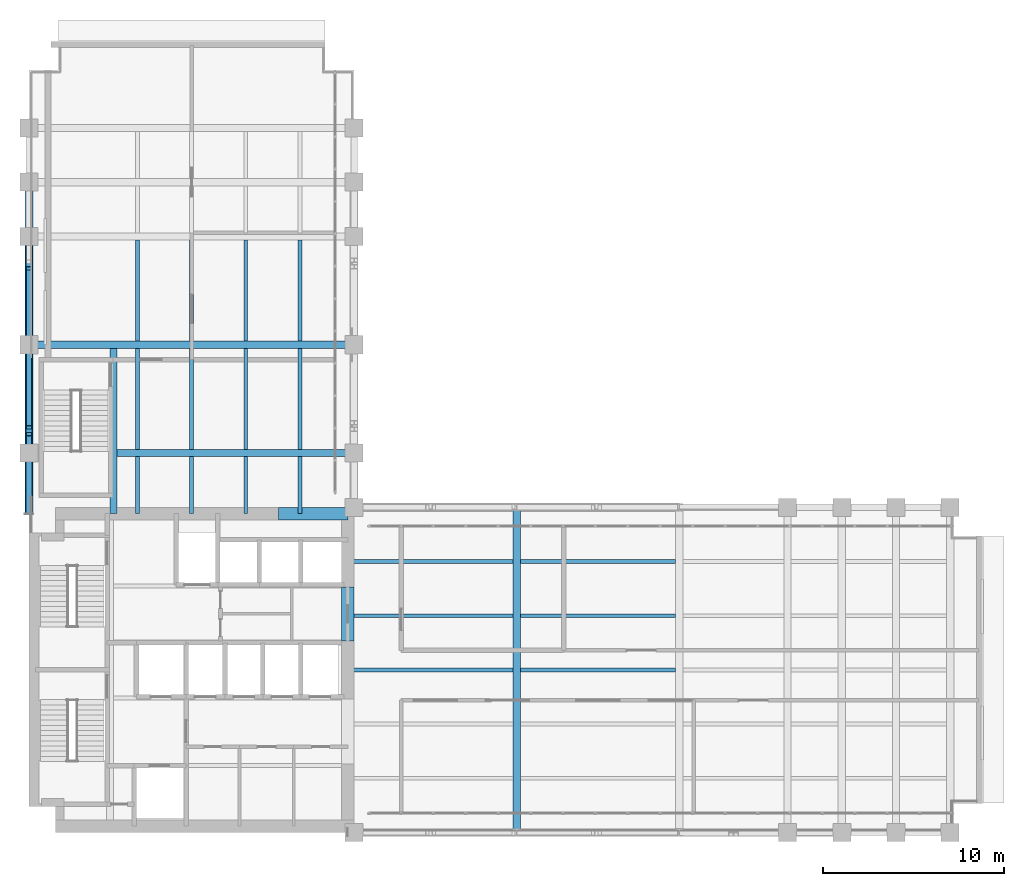
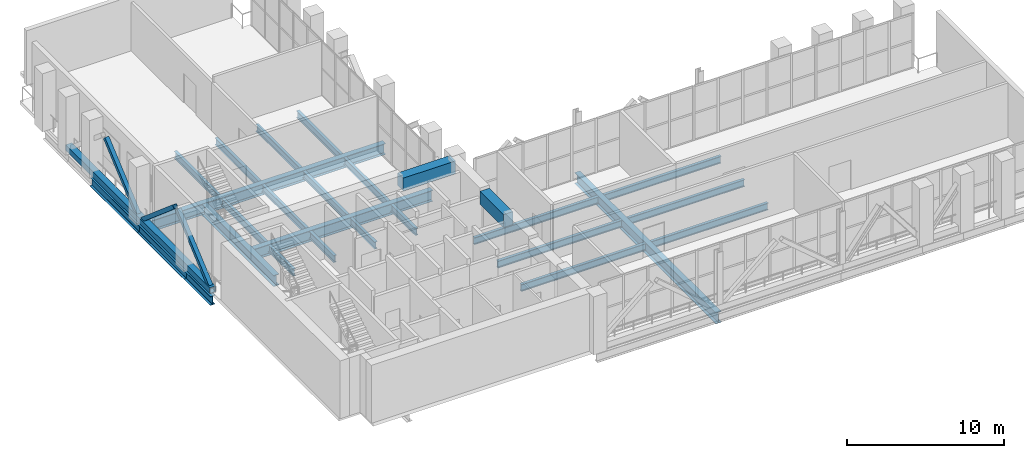
# One storey, part 5 of 27: 27 beams, 4 members.
"""IFC4 building model written with IfcOpenShell, lengths in metres."""

from ifc_helpers import new_model, si_unit, direction, frame, origin, origin_2d, place, context, subcontext, project, spatial, rectangle, hollow_rectangle, i_section, extrude, material, material_profile, profile_set, type_object, element, save


model = new_model("IFC4")

# Units and contexts
model_context = context("Model", 3, precision=1e-05, world=origin(), true_north=direction((0.0, 1.0)))
body_context = subcontext(model_context, "Body", "Model", "MODEL_VIEW")
ifc_project = project(units=[si_unit("LENGTHUNIT", "METRE"), si_unit("AREAUNIT", "SQUARE_METRE"), si_unit("VOLUMEUNIT", "CUBIC_METRE"), si_unit("PLANEANGLEUNIT", "RADIAN"), si_unit("MASSUNIT", "GRAM", prefix="KILO")], contexts=[model_context])

# Site, building, storey
site_placement = place(None, origin())
site = spatial("IfcSite", under=ifc_project, at=site_placement, CompositionType="ELEMENT")
building_placement = place(site_placement, origin())
building = spatial("IfcBuilding", under=site, at=building_placement, Name="Mawjdan Bourse Tower", CompositionType="ELEMENT")
storey_placement = place(building_placement, frame((0.0, 0.0, 155.699951171875)))
storey = spatial("IfcBuildingStorey", under=building, at=storey_placement, Name="L37", CompositionType="ELEMENT", Elevation=155.699951171875)

# Members
ifc_material_1 = material(Name="Structural Steel S460", Category="steel")
ifc_material_profile_1 = material_profile(ifc_material_1, hollow_rectangle(XDim=0.300048828125, YDim=0.300048828125, WallThickness=0.012451171875, at=origin_2d()), Name="HSS300X300X12.5")
ifc_profile_set_1 = profile_set([ifc_material_profile_1], Name="Structural Steel S460")
member_type_1 = type_object("IfcMemberType", Name="BRC-HSS300X300X12.5", PredefinedType="BRACE", material=ifc_profile_set_1)
member_1_placement = place(storey_placement, frame((6.0, 20.83349609375, 0.199951171875), z_axis=(0.0, 0.760807747852, 0.648977326883), x_axis=(-1.0, 0.0, 0.0)))
element("IfcMember", 1, at=member_1_placement, inside=storey, type_object=member_type_1, Name="L37 North Outrigger Truss 1 Diagonal 1", PredefinedType="BRACE", context=body_context, shape_type="SweptSolid", body=[
    extrude(hollow_rectangle(XDim=0.300048828125, YDim=0.300048828125, WallThickness=0.012451171875, at=origin_2d()), origin(), (0.0, 0.0, 1.0), 5.54736328125),
])
member_2_placement = place(storey_placement, frame((6.0, 25.4208984375, 3.800048828125), z_axis=(0.0, 0.76082628285, -0.648955597345), x_axis=(-1.0, 0.0, 0.0)))
element("IfcMember", 2, at=member_2_placement, inside=storey, type_object=member_type_1, Name="L37 North Outrigger Truss 1 Diagonal 2", PredefinedType="BRACE", context=body_context, shape_type="SweptSolid", body=[
    extrude(hollow_rectangle(XDim=0.300048828125, YDim=0.300048828125, WallThickness=0.012451171875, at=origin_2d()), origin(), (0.0, 0.0, 1.0), 5.547607421875),
])
member_3_placement = place(storey_placement, frame((6.0, 30.008544921875, 0.199951171875), z_axis=(0.0, 0.760807747852, 0.648977326883), x_axis=(-1.0, 0.0, 0.0)))
element("IfcMember", 3, at=member_3_placement, inside=storey, type_object=member_type_1, Name="L37 North Outrigger Truss 1 Diagonal 3", PredefinedType="BRACE", context=body_context, shape_type="SweptSolid", body=[
    extrude(hollow_rectangle(XDim=0.300048828125, YDim=0.300048828125, WallThickness=0.012451171875, at=origin_2d()), origin(), (0.0, 0.0, 1.0), 5.54736328125),
])
ifc_material_profile_2 = material_profile(ifc_material_1, hollow_rectangle(XDim=0.449951171875, YDim=0.449951171875, WallThickness=0.01611328125, at=origin_2d()), Name="HSS450X450X16")
ifc_profile_set_2 = profile_set([ifc_material_profile_2], Name="Structural Steel S460")
member_type_2 = type_object("IfcMemberType", Name="CHD-HSS450X450X16", PredefinedType="CHORD", material=ifc_profile_set_2)
member_4_placement = place(storey_placement, frame((6.0, 20.64990234375, 0.199951171875), z_axis=(0.0, 1.0, 0.0), x_axis=(-1.0, 0.0, 0.0)))
element("IfcMember", 4, at=member_4_placement, inside=storey, type_object=member_type_2, Name="L37 North Outrigger Truss 1 Bottom Chord", PredefinedType="CHORD", context=body_context, shape_type="SweptSolid", body=[
    extrude(hollow_rectangle(XDim=0.449951171875, YDim=0.449951171875, WallThickness=0.01611328125, at=origin_2d()), origin(), (0.0, 0.0, 1.0), 18.35009765625),
])

# Beams
ifc_material_2 = material(Name="Structural Steel S355", Category="steel")
ifc_material_profile_3 = material_profile(ifc_material_2, i_section(OverallWidth=0.39892578125, OverallDepth=0.85595703125, WebThickness=0.018310546875, FlangeThickness=0.029296875, FilletRadius=0.0234375, at=origin_2d()), Name="W33X201")
ifc_profile_set_3 = profile_set([ifc_material_profile_3], Name="Structural Steel S355")
beam_type_1 = type_object("IfcBeamType", Name="GRD-W33X201", PredefinedType="BEAM", material=ifc_profile_set_3)
beam_1_placement = place(storey_placement, frame((33.0, 3.0, -0.7080078125), z_axis=(0.0, 1.0, 0.0), x_axis=(-1.0, 0.0, 0.0)))
element("IfcBeam", 5, at=beam_1_placement, inside=storey, type_object=beam_type_1, Name="L37 East Wing Clear-Span Girder 002", PredefinedType="BEAM", context=body_context, shape_type="SweptSolid", body=[
    extrude(i_section(OverallWidth=0.39892578125, OverallDepth=0.85595703125, WebThickness=0.018310546875, FlangeThickness=0.029296875, FilletRadius=0.0234375, at=origin_2d()), origin(), (0.0, 0.0, 1.0), 18.0),
])
beam_2_placement = place(storey_placement, frame((10.679931640625, 20.64990234375, -0.7080078125), z_axis=(0.0, 1.0, 0.0), x_axis=(-1.0, 0.0, 0.0)))
element("IfcBeam", 6, at=beam_2_placement, inside=storey, type_object=beam_type_1, Name="L37 North Wing Stair Trimmer Girder 054", PredefinedType="BEAM", context=body_context, shape_type="SweptSolid", body=[
    extrude(i_section(OverallWidth=0.39892578125, OverallDepth=0.85595703125, WebThickness=0.018310546875, FlangeThickness=0.029296875, FilletRadius=0.0234375, at=origin_2d()), origin(), (0.0, 0.0, 1.0), 9.152587890625),
])
beam_3_placement = place(storey_placement, frame((10.87744140625, 24.0, -0.7080078125), z_axis=(1.0, 0.0, 0.0), x_axis=(0.0, 1.0, 0.0)))
element("IfcBeam", 7, at=beam_3_placement, inside=storey, type_object=beam_type_1, Name="L37 North Wing Clear-Span Girder 055", PredefinedType="BEAM", context=body_context, shape_type="SweptSolid", body=[
    extrude(i_section(OverallWidth=0.39892578125, OverallDepth=0.85595703125, WebThickness=0.018310546875, FlangeThickness=0.029296875, FilletRadius=0.0234375, at=origin_2d()), origin(), (0.0, 0.0, 1.0), 13.12255859375),
])
beam_4_placement = place(storey_placement, frame((6.0, 30.0, -0.7080078125), z_axis=(1.0, 0.0, 0.0), x_axis=(0.0, 1.0, 0.0)))
element("IfcBeam", 8, at=beam_4_placement, inside=storey, type_object=beam_type_1, Name="L37 North Wing Clear-Span Girder 056", PredefinedType="BEAM", context=body_context, shape_type="SweptSolid", body=[
    extrude(i_section(OverallWidth=0.39892578125, OverallDepth=0.85595703125, WebThickness=0.018310546875, FlangeThickness=0.029296875, FilletRadius=0.0234375, at=origin_2d()), origin(), (0.0, 0.0, 1.0), 18.0),
])
ifc_material_profile_4 = material_profile(ifc_material_2, i_section(OverallWidth=0.2119140625, OverallDepth=0.5439453125, WebThickness=0.01318359375, FlangeThickness=0.021240234375, FilletRadius=0.01708984375, at=origin_2d()), Name="W21X83")
ifc_profile_set_4 = profile_set([ifc_material_profile_4], Name="Structural Steel S355")
beam_type_2 = type_object("IfcBeamType", Name="JST-W21X83", PredefinedType="JOIST", material=ifc_profile_set_4)
beam_5_placement = place(storey_placement, frame((23.64990234375, 12.0, -0.552001953125), z_axis=(1.0, 0.0, 0.0), x_axis=(0.0, 1.0, 0.0)))
element("IfcBeam", 9, at=beam_5_placement, inside=storey, type_object=beam_type_2, Name="L37 East Wing Composite Joist 032", PredefinedType="JOIST", context=body_context, shape_type="SweptSolid", body=[
    extrude(i_section(OverallWidth=0.2119140625, OverallDepth=0.5439453125, WebThickness=0.01318359375, FlangeThickness=0.021240234375, FilletRadius=0.01708984375, at=origin_2d()), origin(), (0.0, 0.0, 1.0), 9.152587890625),
])
beam_6_placement = place(storey_placement, frame((33.197509765625, 12.0, -0.552001953125), z_axis=(1.0, 0.0, 0.0), x_axis=(0.0, 1.0, 0.0)))
element("IfcBeam", 10, at=beam_6_placement, inside=storey, type_object=beam_type_2, Name="L37 East Wing Composite Joist 033", PredefinedType="JOIST", context=body_context, shape_type="SweptSolid", body=[
    extrude(i_section(OverallWidth=0.2119140625, OverallDepth=0.5439453125, WebThickness=0.01318359375, FlangeThickness=0.021240234375, FilletRadius=0.01708984375, at=origin_2d()), origin(), (0.0, 0.0, 1.0), 8.60498046875),
])
beam_7_placement = place(storey_placement, frame((23.64990234375, 15.0, -0.552001953125), z_axis=(1.0, 0.0, 0.0), x_axis=(0.0, 1.0, 0.0)))
element("IfcBeam", 11, at=beam_7_placement, inside=storey, type_object=beam_type_2, Name="L37 East Wing Composite Joist 038", PredefinedType="JOIST", context=body_context, shape_type="SweptSolid", body=[
    extrude(i_section(OverallWidth=0.2119140625, OverallDepth=0.5439453125, WebThickness=0.01318359375, FlangeThickness=0.021240234375, FilletRadius=0.01708984375, at=origin_2d()), origin(), (0.0, 0.0, 1.0), 9.152587890625),
])
beam_8_placement = place(storey_placement, frame((33.197509765625, 15.0, -0.552001953125), z_axis=(1.0, 0.0, 0.0), x_axis=(0.0, 1.0, 0.0)))
element("IfcBeam", 12, at=beam_8_placement, inside=storey, type_object=beam_type_2, Name="L37 East Wing Composite Joist 039", PredefinedType="JOIST", context=body_context, shape_type="SweptSolid", body=[
    extrude(i_section(OverallWidth=0.2119140625, OverallDepth=0.5439453125, WebThickness=0.01318359375, FlangeThickness=0.021240234375, FilletRadius=0.01708984375, at=origin_2d()), origin(), (0.0, 0.0, 1.0), 8.60498046875),
])
beam_9_placement = place(storey_placement, frame((23.64990234375, 18.0, -0.552001953125), z_axis=(1.0, 0.0, 0.0), x_axis=(0.0, 1.0, 0.0)))
element("IfcBeam", 13, at=beam_9_placement, inside=storey, type_object=beam_type_2, Name="L37 East Wing Composite Joist 044", PredefinedType="JOIST", context=body_context, shape_type="SweptSolid", body=[
    extrude(i_section(OverallWidth=0.2119140625, OverallDepth=0.5439453125, WebThickness=0.01318359375, FlangeThickness=0.021240234375, FilletRadius=0.01708984375, at=origin_2d()), origin(), (0.0, 0.0, 1.0), 9.152587890625),
])
beam_10_placement = place(storey_placement, frame((33.197509765625, 18.0, -0.552001953125), z_axis=(1.0, 0.0, 0.0), x_axis=(0.0, 1.0, 0.0)))
element("IfcBeam", 14, at=beam_10_placement, inside=storey, type_object=beam_type_2, Name="L37 East Wing Composite Joist 045", PredefinedType="JOIST", context=body_context, shape_type="SweptSolid", body=[
    extrude(i_section(OverallWidth=0.2119140625, OverallDepth=0.5439453125, WebThickness=0.01318359375, FlangeThickness=0.021240234375, FilletRadius=0.01708984375, at=origin_2d()), origin(), (0.0, 0.0, 1.0), 8.60498046875),
])
beam_11_placement = place(storey_placement, frame((12.0, 20.64990234375, -0.552001953125), z_axis=(0.0, 1.0, 0.0), x_axis=(-1.0, 0.0, 0.0)))
element("IfcBeam", 15, at=beam_11_placement, inside=storey, type_object=beam_type_2, Name="L37 North Wing Composite Joist 070", PredefinedType="JOIST", context=body_context, shape_type="SweptSolid", body=[
    extrude(i_section(OverallWidth=0.2119140625, OverallDepth=0.5439453125, WebThickness=0.01318359375, FlangeThickness=0.021240234375, FilletRadius=0.01708984375, at=origin_2d()), origin(), (0.0, 0.0, 1.0), 3.152587890625),
])
for number, where, z_axis, x_axis, name in (
    (16, (12.0, 24.197509765625, -0.552001953125), (0.0, 1.0, 0.0), (-1.0, 0.0, 0.0), "L37 North Wing Composite Joist 071"),
    (17, (12.0, 30.197509765625, -0.552001953125), (0.0, 1.0, 0.0), (-1.0, 0.0, 0.0), "L37 North Wing Composite Joist 072"),
):
    element("IfcBeam", number, at=place(storey_placement, frame(where, z_axis=z_axis, x_axis=x_axis)), inside=storey, type_object=beam_type_2, Name=name, PredefinedType="JOIST", context=body_context, shape_type="SweptSolid", body=[
        extrude(i_section(OverallWidth=0.2119140625, OverallDepth=0.5439453125, WebThickness=0.01318359375, FlangeThickness=0.021240234375, FilletRadius=0.01708984375, at=origin_2d()), origin(), (0.0, 0.0, 1.0), 5.60498046875),
    ])
beam_12_placement = place(storey_placement, frame((15.0, 20.64990234375, -0.552001953125), z_axis=(0.0, 1.0, 0.0), x_axis=(-1.0, 0.0, 0.0)))
element("IfcBeam", 18, at=beam_12_placement, inside=storey, type_object=beam_type_2, Name="L37 North Wing Composite Joist 075", PredefinedType="JOIST", context=body_context, shape_type="SweptSolid", body=[
    extrude(i_section(OverallWidth=0.2119140625, OverallDepth=0.5439453125, WebThickness=0.01318359375, FlangeThickness=0.021240234375, FilletRadius=0.01708984375, at=origin_2d()), origin(), (0.0, 0.0, 1.0), 3.152587890625),
])
for number, where, z_axis, x_axis, name in (
    (19, (15.0, 24.197509765625, -0.552001953125), (0.0, 1.0, 0.0), (-1.0, 0.0, 0.0), "L37 North Wing Composite Joist 076"),
    (20, (15.0, 30.197509765625, -0.552001953125), (0.0, 1.0, 0.0), (-1.0, 0.0, 0.0), "L37 North Wing Composite Joist 077"),
):
    element("IfcBeam", number, at=place(storey_placement, frame(where, z_axis=z_axis, x_axis=x_axis)), inside=storey, type_object=beam_type_2, Name=name, PredefinedType="JOIST", context=body_context, shape_type="SweptSolid", body=[
        extrude(i_section(OverallWidth=0.2119140625, OverallDepth=0.5439453125, WebThickness=0.01318359375, FlangeThickness=0.021240234375, FilletRadius=0.01708984375, at=origin_2d()), origin(), (0.0, 0.0, 1.0), 5.60498046875),
    ])
beam_13_placement = place(storey_placement, frame((18.0, 20.64990234375, -0.552001953125), z_axis=(0.0, 1.0, 0.0), x_axis=(-1.0, 0.0, 0.0)))
element("IfcBeam", 21, at=beam_13_placement, inside=storey, type_object=beam_type_2, Name="L37 North Wing Composite Joist 080", PredefinedType="JOIST", context=body_context, shape_type="SweptSolid", body=[
    extrude(i_section(OverallWidth=0.2119140625, OverallDepth=0.5439453125, WebThickness=0.01318359375, FlangeThickness=0.021240234375, FilletRadius=0.01708984375, at=origin_2d()), origin(), (0.0, 0.0, 1.0), 3.152587890625),
])
for number, where, z_axis, x_axis, name in (
    (22, (18.0, 24.197509765625, -0.552001953125), (0.0, 1.0, 0.0), (-1.0, 0.0, 0.0), "L37 North Wing Composite Joist 081"),
    (23, (18.0, 30.197509765625, -0.552001953125), (0.0, 1.0, 0.0), (-1.0, 0.0, 0.0), "L37 North Wing Composite Joist 082"),
):
    element("IfcBeam", number, at=place(storey_placement, frame(where, z_axis=z_axis, x_axis=x_axis)), inside=storey, type_object=beam_type_2, Name=name, PredefinedType="JOIST", context=body_context, shape_type="SweptSolid", body=[
        extrude(i_section(OverallWidth=0.2119140625, OverallDepth=0.5439453125, WebThickness=0.01318359375, FlangeThickness=0.021240234375, FilletRadius=0.01708984375, at=origin_2d()), origin(), (0.0, 0.0, 1.0), 5.60498046875),
    ])
beam_14_placement = place(storey_placement, frame((21.0, 20.64990234375, -0.552001953125), z_axis=(0.0, 1.0, 0.0), x_axis=(-1.0, 0.0, 0.0)))
element("IfcBeam", 24, at=beam_14_placement, inside=storey, type_object=beam_type_2, Name="L37 North Wing Composite Joist 085", PredefinedType="JOIST", context=body_context, shape_type="SweptSolid", body=[
    extrude(i_section(OverallWidth=0.2119140625, OverallDepth=0.5439453125, WebThickness=0.01318359375, FlangeThickness=0.021240234375, FilletRadius=0.01708984375, at=origin_2d()), origin(), (0.0, 0.0, 1.0), 3.152587890625),
])
for number, where, z_axis, x_axis, name in (
    (25, (21.0, 24.197509765625, -0.552001953125), (0.0, 1.0, 0.0), (-1.0, 0.0, 0.0), "L37 North Wing Composite Joist 086"),
    (26, (21.0, 30.197509765625, -0.552001953125), (0.0, 1.0, 0.0), (-1.0, 0.0, 0.0), "L37 North Wing Composite Joist 087"),
):
    element("IfcBeam", number, at=place(storey_placement, frame(where, z_axis=z_axis, x_axis=x_axis)), inside=storey, type_object=beam_type_2, Name=name, PredefinedType="JOIST", context=body_context, shape_type="SweptSolid", body=[
        extrude(i_section(OverallWidth=0.2119140625, OverallDepth=0.5439453125, WebThickness=0.01318359375, FlangeThickness=0.021240234375, FilletRadius=0.01708984375, at=origin_2d()), origin(), (0.0, 0.0, 1.0), 5.60498046875),
    ])
ifc_material_3 = material(Name="Concrete C70/85", Category="concrete")
ifc_material_profile_5 = material_profile(ifc_material_3, rectangle(XDim=0.699951171875, YDim=1.0, at=origin_2d()), Name="RCB700X1000")
ifc_profile_set_5 = profile_set([ifc_material_profile_5], Name="Concrete C70/85")
beam_type_3 = type_object("IfcBeamType", Name="LNT-RCB700X1000", PredefinedType="LINTEL", material=ifc_profile_set_5)
beam_15_placement = place(storey_placement, frame((23.64990234375, 13.60009765625, 3.75), z_axis=(0.0, 1.0, 0.0), x_axis=(-1.0, 0.0, 0.0)))
element("IfcBeam", 27, at=beam_15_placement, inside=storey, type_object=beam_type_3, Name="L37 Coupled Core Lintel CB-E2", PredefinedType="LINTEL", context=body_context, shape_type="SweptSolid", body=[
    extrude(rectangle(XDim=0.699951171875, YDim=1.0, at=origin_2d()), origin(), (0.0, 0.0, 1.0), 3.0),
])
beam_16_placement = place(storey_placement, frame((19.800048828125, 20.64990234375, 3.75), z_axis=(1.0, 0.0, 0.0), x_axis=(0.0, 1.0, 0.0)))
element("IfcBeam", 28, at=beam_16_placement, inside=storey, type_object=beam_type_3, Name="L37 Coupled Core Lintel CB-N1", PredefinedType="LINTEL", context=body_context, shape_type="SweptSolid", body=[
    extrude(rectangle(XDim=0.699951171875, YDim=1.0, at=origin_2d()), origin(), (0.0, 0.0, 1.0), 3.849853515625),
])
ifc_material_profile_6 = material_profile(ifc_material_2, i_section(OverallWidth=0.35498046875, OverallDepth=0.696044921875, WebThickness=0.015380859375, FlangeThickness=0.02490234375, FilletRadius=0.019775390625, at=origin_2d()), Name="W27X146")
ifc_profile_set_6 = profile_set([ifc_material_profile_6], Name="Structural Steel S355")
beam_type_4 = type_object("IfcBeamType", Name="SPN-W27X146", PredefinedType="SPANDREL", material=ifc_profile_set_6)
beam_17_placement = place(storey_placement, frame((6.0, 20.64990234375, -0.6279296875), z_axis=(0.0, 1.0, 0.0), x_axis=(-1.0, 0.0, 0.0)))
element("IfcBeam", 29, at=beam_17_placement, inside=storey, type_object=beam_type_4, Name="L37 North Wing Spandrel 060", PredefinedType="SPANDREL", context=body_context, shape_type="SweptSolid", body=[
    extrude(i_section(OverallWidth=0.35498046875, OverallDepth=0.696044921875, WebThickness=0.015380859375, FlangeThickness=0.02490234375, FilletRadius=0.019775390625, at=origin_2d()), origin(), (0.0, 0.0, 1.0), 3.35009765625),
])
for number, where, z_axis, x_axis, name in (
    (30, (6.0, 24.0, -0.6279296875), (0.0, 1.0, 0.0), (-1.0, 0.0, 0.0), "L37 North Wing Spandrel 061"),
    (31, (6.0, 30.0, -0.6279296875), (0.0, 1.0, 0.0), (-1.0, 0.0, 0.0), "L37 North Wing Spandrel 062"),
):
    element("IfcBeam", number, at=place(storey_placement, frame(where, z_axis=z_axis, x_axis=x_axis)), inside=storey, type_object=beam_type_4, Name=name, PredefinedType="SPANDREL", context=body_context, shape_type="SweptSolid", body=[
        extrude(i_section(OverallWidth=0.35498046875, OverallDepth=0.696044921875, WebThickness=0.015380859375, FlangeThickness=0.02490234375, FilletRadius=0.019775390625, at=origin_2d()), origin(), (0.0, 0.0, 1.0), 6.0),
    ])

save(model, "model.ifc")
